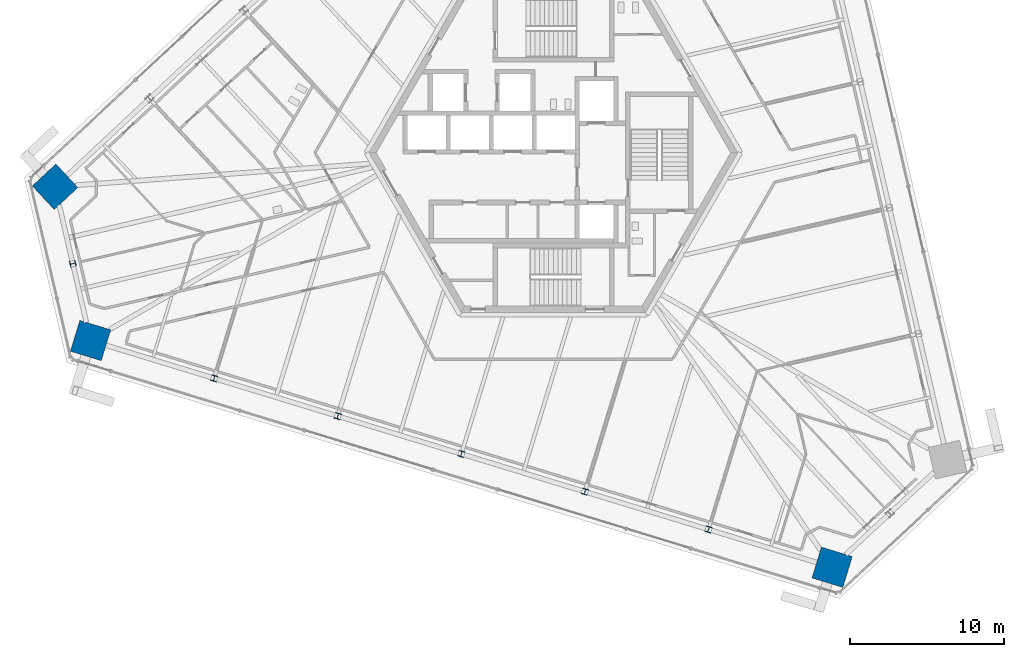
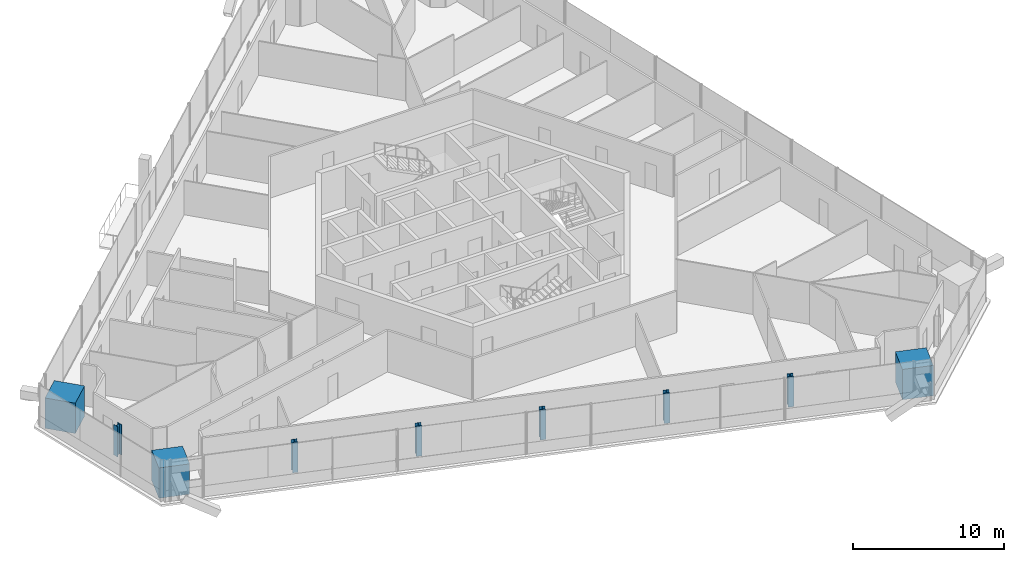
# One storey, part 1 of 25: 9 columns.
"""IFC4 building model written with IfcOpenShell, lengths in metres."""

from ifc_helpers import new_model, si_unit, direction, frame, origin, origin_2d, place, context, subcontext, project, spatial, rectangle, i_section, extrude, source, transform, mapped, material, material_profile, profile_set, type_object, element, save


model = new_model("IFC4")

# Units and contexts
model_context = context("Model", 3, precision=1e-05, world=origin(), true_north=direction((0.0, 1.0)))
body_context = subcontext(model_context, "Body", "Model", "MODEL_VIEW")
ifc_project = project(units=[si_unit("LENGTHUNIT", "METRE"), si_unit("AREAUNIT", "SQUARE_METRE"), si_unit("VOLUMEUNIT", "CUBIC_METRE"), si_unit("PLANEANGLEUNIT", "RADIAN"), si_unit("MASSUNIT", "GRAM", prefix="KILO")], contexts=[model_context])

# Site, building, storey
site_placement = place(None, origin())
site = spatial("IfcSite", under=ifc_project, at=site_placement, CompositionType="ELEMENT")
building_placement = place(site_placement, origin())
building = spatial("IfcBuilding", under=site, at=building_placement, Name="Triune Harvest Tower", CompositionType="ELEMENT")
storey_placement = place(building_placement, frame((0.0, 0.0, 130.699951171875)))
storey = spatial("IfcBuildingStorey", under=building, at=storey_placement, Name="L33", CompositionType="ELEMENT", Elevation=130.699951171875)

# Columns
ifc_material_1 = material(Name="Concrete 70 MPa", Category="concrete")
ifc_material_profile_1 = material_profile(ifc_material_1, rectangle(XDim=2.10009765625, YDim=2.10009765625, at=origin_2d()), Name="Composite 2100x2100")
ifc_profile_set_1 = profile_set([ifc_material_profile_1], Name="Concrete 70 MPa")
column_type_1 = type_object("IfcColumnType", Name="MC-3 Mega column Composite 2100x2100", PredefinedType="COLUMN", material=ifc_profile_set_1)
shared_shape_1 = source(origin(), body_context, "Body", "SweptSolid", [
    extrude(rectangle(XDim=2.10009765625, YDim=2.10009765625, at=origin_2d()), origin(), (0.0, 0.0, 1.0), 2.449951171875),
])
for number, where, z_axis, x_axis, name in (
    (1, (-32.446533203125, -2.218994140625, 0.0), (0.0, 0.0, 1.0), (-0.73135489193, -0.681997083608, 0.0), "col/L33/M14"),
    (2, (-30.135498046875, -12.22900390625, 0.0), (0.0, 0.0, 1.0), (0.956304755963, -0.292371704723, 0.0), "col/L33/M16"),
    (3, (18.14501953125, -26.989990234375, 0.0), (0.0, 0.0, 1.0), (0.956304755963, -0.292371704723, 0.0), "col/L33/M22"),
):
    element("IfcColumn", number, at=place(storey_placement, frame(where, z_axis=z_axis, x_axis=x_axis)), inside=storey, type_object=column_type_1, Name=name, PredefinedType="COLUMN", context=body_context, shape_type="MappedRepresentation", body=[
        mapped(shared_shape_1, transform((0.0, 0.0, 0.0), scale=1.0)),
    ])
ifc_material_2 = material(Name="Steel ASTM A992 Gr 50", Category="steel")
ifc_material_profile_2 = material_profile(ifc_material_2, i_section(OverallWidth=0.396240234375, OverallDepth=0.381103515625, WebThickness=0.01904296875, FlangeThickness=0.0302734375, at=origin_2d()), Name="W14x159")
ifc_profile_set_2 = profile_set([ifc_material_profile_2], Name="Steel ASTM A992 Gr 50")
column_type_2 = type_object("IfcColumnType", Name="PC-3 Perimeter column W14x159", PredefinedType="COLUMN", material=ifc_profile_set_2)
shared_shape_2 = source(origin(), body_context, "Body", "SweptSolid", [
    extrude(i_section(OverallWidth=0.396240234375, OverallDepth=0.381103515625, WebThickness=0.01904296875, FlangeThickness=0.0302734375, at=origin_2d()), origin(), (0.0, 0.0, 1.0), 2.449951171875),
])
for number, where, z_axis, x_axis, name in (
    (4, (-31.291015625, -7.22412109375, 0.0), (0.0, 0.0, 1.0), (0.224951054344, -0.974370064785, 0.0), "col/L33/P15"),
    (5, (-22.0888671875, -14.689208984375, 0.0), (0.0, 0.0, 1.0), (0.956304755963, -0.292371704723, 0.0), "col/L33/P17"),
    (6, (-14.0419921875, -17.1494140625, 0.0), (0.0, 0.0, 1.0), (0.956304755963, -0.292371704723, 0.0), "col/L33/P18"),
    (7, (-5.995361328125, -19.609619140625, 0.0), (0.0, 0.0, 1.0), (0.956304755963, -0.292371704723, 0.0), "col/L33/P19"),
    (8, (2.051513671875, -22.069580078125, 0.0), (0.0, 0.0, 1.0), (0.956304755963, -0.292371704723, 0.0), "col/L33/P20"),
    (9, (10.098388671875, -24.52978515625, 0.0), (0.0, 0.0, 1.0), (0.956304755963, -0.292371704723, 0.0), "col/L33/P21"),
):
    element("IfcColumn", number, at=place(storey_placement, frame(where, z_axis=z_axis, x_axis=x_axis)), inside=storey, type_object=column_type_2, Name=name, PredefinedType="COLUMN", context=body_context, shape_type="MappedRepresentation", body=[
        mapped(shared_shape_2, transform((0.0, 0.0, 0.0), scale=1.0)),
    ])

save(model, "model.ifc")
